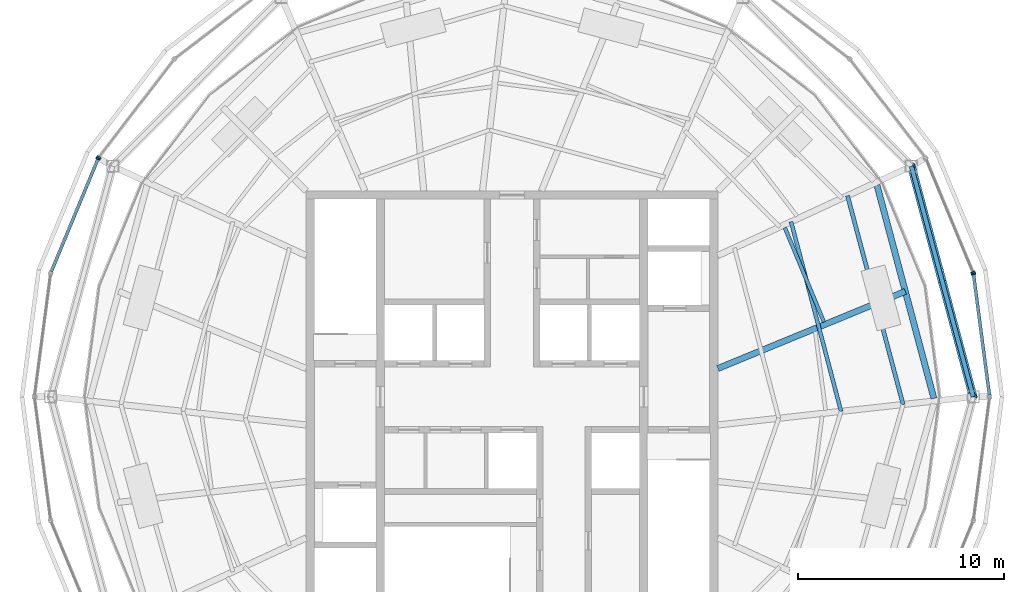
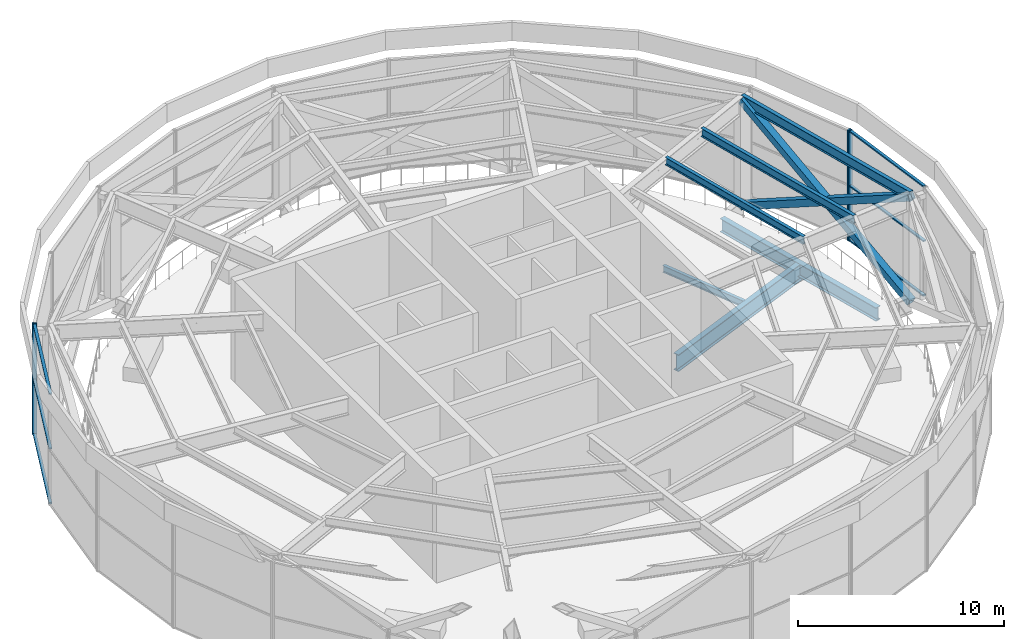
# One storey, part 5 of 13: 14 members, 4 beams, 4 elements without a shape of their own.
"""IFC4 building model written with IfcOpenShell, lengths in metres."""

from ifc_helpers import new_model, si_unit, direction, frame, origin, origin_2d, place, context, subcontext, project, spatial, rectangle, hollow_rectangle, i_section, extrude, material, material_profile, profile_set, type_object, element, aggregate, save


model = new_model("IFC4")

# Units and contexts
model_context = context("Model", 3, precision=1e-05, world=origin(), true_north=direction((0.0, 1.0)))
body_context = subcontext(model_context, "Body", "Model", "MODEL_VIEW")
ifc_project = project(units=[si_unit("LENGTHUNIT", "METRE"), si_unit("AREAUNIT", "SQUARE_METRE"), si_unit("VOLUMEUNIT", "CUBIC_METRE"), si_unit("PLANEANGLEUNIT", "RADIAN"), si_unit("MASSUNIT", "GRAM", prefix="KILO")], contexts=[model_context])

# Site, building, storey
site_placement = place(None, origin())
site = spatial("IfcSite", under=ifc_project, at=site_placement, CompositionType="ELEMENT")
building_placement = place(site_placement, origin())
building = spatial("IfcBuilding", under=site, at=building_placement, Name="Golbaran Civic Tower", CompositionType="ELEMENT")
storey_placement = place(building_placement, frame((0.0, 0.0, 284.0)))
storey = spatial("IfcBuildingStorey", under=building, at=storey_placement, Name="L69", CompositionType="ELEMENT", Elevation=284.0)

# Members
ifc_material_1 = material(Name="Steel S355", Category="steel")
ifc_material_profile_1 = material_profile(ifc_material_1, hollow_rectangle(XDim=0.39990234375, YDim=0.39990234375, WallThickness=0.030029296875, at=origin_2d()), Name="BOX 400x400x30")
ifc_profile_set_1 = profile_set([ifc_material_profile_1], Name="Steel S355")
member_type_1 = type_object("IfcMemberType", Name="CROWN FRAME BRACE BOX 400x400x30", PredefinedType="BRACE", material=ifc_profile_set_1)
for number, where, z_axis, x_axis, name in (
    (1, (22.39990234375, 0.0, -0.7099609375), (-0.227744086126, 0.849964200377, 0.475072088542), (-0.965926716951, -0.258815721085, 0.0), "Crown frame brace 1A"),
    (2, (19.39892578125, 11.199951171875, -0.7099609375), (0.227744086126, -0.849964200377, 0.475072088542), (0.965926716951, 0.258815721085, 0.0), "Crown frame brace 1B"),
):
    element("IfcMember", number, at=place(storey_placement, frame(where, z_axis=z_axis, x_axis=x_axis)), inside=storey, type_object=member_type_1, Name=name, PredefinedType="BRACE", context=body_context, shape_type="SweptSolid", body=[
        extrude(hollow_rectangle(XDim=0.39990234375, YDim=0.39990234375, WallThickness=0.030029296875, at=origin_2d()), origin(), (0.0, 0.0, 1.0), 13.177001953125),
    ])
ifc_material_profile_2 = material_profile(ifc_material_1, i_section(OverallWidth=0.18994140625, OverallDepth=0.449951171875, WebThickness=0.009521484375, FlangeThickness=0.0146484375, FilletRadius=0.02099609375, at=origin_2d()), Name="IPE 450")
ifc_profile_set_2 = profile_set([ifc_material_profile_2], Name="Steel S355")
member_type_2 = type_object("IfcMemberType", Name="CROWN FRAME CANOPY PURLIN IPE 450", PredefinedType="PURLIN", material=ifc_profile_set_2)
member_1_placement = place(storey_placement, frame((15.984375, -0.70947265625, 5.625), z_axis=(-0.255024451982, 0.966934604248, 0.0), x_axis=(-0.966934604248, -0.255024451982, 0.0)))
element("IfcMember", 3, at=member_1_placement, inside=storey, type_object=member_type_2, Name="Canopy purlin 1-2", PredefinedType="PURLIN", context=body_context, shape_type="SweptSolid", body=[
    extrude(i_section(OverallWidth=0.18994140625, OverallDepth=0.449951171875, WebThickness=0.009521484375, FlangeThickness=0.0146484375, FilletRadius=0.02099609375, at=origin_2d()), origin(), (0.0, 0.0, 1.0), 9.5244140625),
])
ifc_material_profile_3 = material_profile(ifc_material_1, i_section(OverallWidth=0.199951171875, OverallDepth=0.5, WebThickness=0.01025390625, FlangeThickness=0.01611328125, FilletRadius=0.02099609375, at=origin_2d()), Name="IPE 500")
ifc_profile_set_3 = profile_set([ifc_material_profile_3], Name="Steel S355")
member_type_3 = type_object("IfcMemberType", Name="CROWN FRAME CANOPY PURLIN IPE 500", PredefinedType="PURLIN", material=ifc_profile_set_3)
member_2_placement = place(storey_placement, frame((18.996337890625, -0.37646484375, 5.60009765625), z_axis=(-0.25713709538, 0.966374934577, 0.0), x_axis=(-0.966374934577, -0.25713709538, 0.0)))
element("IfcMember", 4, at=member_2_placement, inside=storey, type_object=member_type_3, Name="Canopy purlin 1-3", PredefinedType="PURLIN", context=body_context, shape_type="SweptSolid", body=[
    extrude(i_section(OverallWidth=0.199951171875, OverallDepth=0.5, WebThickness=0.01025390625, FlangeThickness=0.01611328125, FilletRadius=0.02099609375, at=origin_2d()), origin(), (0.0, 0.0, 1.0), 10.496337890625),
])

# Beams
ifc_material_profile_4 = material_profile(ifc_material_1, i_section(OverallWidth=0.219970703125, OverallDepth=0.60009765625, WebThickness=0.011962890625, FlangeThickness=0.01904296875, FilletRadius=0.02392578125, at=origin_2d()), Name="IPE 600")
ifc_profile_set_4 = profile_set([ifc_material_profile_4], Name="Steel S355")
beam_type_1 = type_object("IfcBeamType", Name="CROWN FRAME CANOPY RING BEAM IPE 600", PredefinedType="BEAM", material=ifc_profile_set_4)
beam_1_placement = place(storey_placement, frame((22.39990234375, 0.0, 5.550048828125), z_axis=(-0.258815721085, 0.965926716951, 0.0), x_axis=(-0.965926716951, -0.258815721085, 0.0)))
element("IfcBeam", 5, at=beam_1_placement, inside=storey, type_object=beam_type_1, Name="Canopy ring beam 1", PredefinedType="BEAM", context=body_context, shape_type="SweptSolid", body=[
    extrude(i_section(OverallWidth=0.219970703125, OverallDepth=0.60009765625, WebThickness=0.011962890625, FlangeThickness=0.01904296875, FilletRadius=0.02392578125, at=origin_2d()), origin(), (0.0, 0.0, 1.0), 11.594970703125),
])
ifc_material_profile_5 = material_profile(ifc_material_1, i_section(OverallWidth=0.300048828125, OverallDepth=0.800048828125, WebThickness=0.017578125, FlangeThickness=0.032958984375, FilletRadius=0.030029296875, at=origin_2d()), Name="HEB 800")
ifc_profile_set_5 = profile_set([ifc_material_profile_5], Name="Steel S355")
beam_type_2 = type_object("IfcBeamType", Name="EDGE BEAM HEB 800", PredefinedType="BEAM", material=ifc_profile_set_5)
beam_2_placement = place(storey_placement, frame((20.492919921875, -0.080078125, -0.699951171875), z_axis=(-0.257960121844, 0.966155564875, 0.0), x_axis=(-0.966155564875, -0.257960121844, 0.0)))
element("IfcBeam", 6, at=beam_2_placement, inside=storey, type_object=beam_type_2, Name="Edge beam 0.00 L69", PredefinedType="BEAM", context=body_context, shape_type="SweptSolid", body=[
    extrude(i_section(OverallWidth=0.300048828125, OverallDepth=0.800048828125, WebThickness=0.017578125, FlangeThickness=0.032958984375, FilletRadius=0.030029296875, at=origin_2d()), origin(), (0.0, 0.0, 1.0), 10.726806640625),
])
ifc_material_profile_6 = material_profile(ifc_material_1, i_section(OverallWidth=0.179931640625, OverallDepth=0.39990234375, WebThickness=0.008544921875, FlangeThickness=0.013427734375, FilletRadius=0.02099609375, at=origin_2d()), Name="IPE 400")
ifc_profile_set_6 = profile_set([ifc_material_profile_6], Name="Steel S355")
beam_type_3 = type_object("IfcBeamType", Name="FLOOR INFILL BEAM IPE 400", PredefinedType="BEAM", material=ifc_profile_set_6)
beam_3_placement = place(storey_placement, frame((15.151123046875, 3.63232421875, -0.5), z_axis=(-0.382696532812, 0.923874106019, 0.0), x_axis=(-0.923874106019, -0.382696532812, 0.0)))
element("IfcBeam", 7, at=beam_3_placement, inside=storey, type_object=beam_type_3, Name="Infill beam 22.50 L69", PredefinedType="BEAM", context=body_context, shape_type="SweptSolid", body=[
    extrude(i_section(OverallWidth=0.179931640625, OverallDepth=0.39990234375, WebThickness=0.008544921875, FlangeThickness=0.013427734375, FilletRadius=0.02099609375, at=origin_2d()), origin(), (0.0, 0.0, 1.0), 4.9619140625),
])

# Curtain wall, member
ifc_material_2 = material(Name="Aluminium and glass", Category="aluminium")
curtain_wall_type = type_object("IfcCurtainWallType", Name="OUTER SKIN TERRACOTTA SCREEN", PredefinedType="NOTDEFINED", material=ifc_material_2)
curtain_wall_1_placement = place(storey_placement, origin())
curtain_wall_1 = element("IfcCurtainWall", 8, at=curtain_wall_1_placement, inside=storey, type_object=curtain_wall_type, Name="Crown screen L69 facet 1 CW3", ObjectType="OUTER SKIN", PredefinedType="USERDEFINED")
ifc_material_3 = material(Name="Aluminium", Category="aluminium")
ifc_material_profile_7 = material_profile(ifc_material_3, rectangle(XDim=0.219970703125, YDim=0.080078125, at=origin_2d()), Name="OUTER SKIN TERRACOTTA SCREEN MULLION")
ifc_profile_set_7 = profile_set([ifc_material_profile_7], Name="Aluminium")
member_type_4 = type_object("IfcMemberType", Name="OUTER SKIN TERRACOTTA SCREEN MULLION", PredefinedType="MULLION", material=ifc_profile_set_7)
member_3_placement = place(storey_placement, frame((22.414794921875, 5.96484375, -0.7099609375), z_axis=(0.0, 0.0, 1.0), x_axis=(-0.991444861374, -0.13052619222, 0.0)))
member_3 = element("IfcMember", 9, at=member_3_placement, type_object=member_type_4, Name="CW3 mullion 2", PredefinedType="MULLION", context=body_context, shape_type="SweptSolid", body=[
    extrude(rectangle(XDim=0.219970703125, YDim=0.080078125, at=origin_2d()), origin(), (0.0, 0.0, 1.0), 6.56005859375),
])

curtain_wall_2_placement = place(storey_placement, origin())
curtain_wall_2 = element("IfcCurtainWall", 10, at=curtain_wall_2_placement, inside=storey, type_object=curtain_wall_type, Name="Crown screen L69 facet 2 CW3", ObjectType="OUTER SKIN", PredefinedType="USERDEFINED")
member_4_placement = place(storey_placement, frame((22.394287109375, 6.04150390625, -0.7099609375), z_axis=(0.0, 0.0, 1.0), x_axis=(-0.923879532525, -0.382683432333, 0.0)))
member_4 = element("IfcMember", 11, at=member_4_placement, type_object=member_type_4, Name="CW3 mullion 1", PredefinedType="MULLION", context=body_context, shape_type="SweptSolid", body=[
    extrude(rectangle(XDim=0.219970703125, YDim=0.080078125, at=origin_2d()), origin(), (0.0, 0.0, 1.0), 6.56005859375),
])
aggregate(curtain_wall_2, [member_4])

curtain_wall_3_placement = place(storey_placement, origin())
curtain_wall_3 = element("IfcCurtainWall", 12, at=curtain_wall_3_placement, inside=storey, type_object=curtain_wall_type, Name="Crown screen L69 facet 10 CW3", ObjectType="OUTER SKIN", PredefinedType="USERDEFINED")
member_5_placement = place(storey_placement, frame((-20.0673828125, 11.6318359375, -0.7099609375), z_axis=(0.0, 0.0, 1.0), x_axis=(0.793353340344, -0.608761428939, 0.0)))
member_5 = element("IfcMember", 13, at=member_5_placement, type_object=member_type_4, Name="CW3 mullion 2", PredefinedType="MULLION", context=body_context, shape_type="SweptSolid", body=[
    extrude(rectangle(XDim=0.219970703125, YDim=0.080078125, at=origin_2d()), origin(), (0.0, 0.0, 1.0), 6.56005859375),
])
aggregate(curtain_wall_3, [member_5])

curtain_wall_4_placement = place(storey_placement, origin())
curtain_wall_4 = element("IfcCurtainWall", 14, at=curtain_wall_4_placement, inside=storey, type_object=curtain_wall_type, Name="Crown screen L69 facet 11 CW3", ObjectType="OUTER SKIN", PredefinedType="USERDEFINED")
member_6_placement = place(storey_placement, frame((-20.107177734375, 11.56298828125, -0.7099609375), z_axis=(0.0, 0.0, 1.0), x_axis=(0.923879532525, -0.382683432333, 0.0)))
member_6 = element("IfcMember", 15, at=member_6_placement, type_object=member_type_4, Name="CW3 mullion 1", PredefinedType="MULLION", context=body_context, shape_type="SweptSolid", body=[
    extrude(rectangle(XDim=0.219970703125, YDim=0.080078125, at=origin_2d()), origin(), (0.0, 0.0, 1.0), 6.56005859375),
])

# Member
ifc_material_profile_8 = material_profile(ifc_material_3, rectangle(XDim=0.159912109375, YDim=0.080078125, at=origin_2d()), Name="OUTER SKIN TERRACOTTA SCREEN TRANSOM")
ifc_profile_set_8 = profile_set([ifc_material_profile_8], Name="Aluminium")
member_type_5 = type_object("IfcMemberType", Name="OUTER SKIN TERRACOTTA SCREEN TRANSOM", PredefinedType="USERDEFINED", material=ifc_profile_set_8)
member_7_placement = place(storey_placement, frame((23.189453125, 0.079345703125, -0.669921875), z_axis=(-0.130509136774, 0.991447106617, 0.0), x_axis=(-0.991447106617, -0.130509136774, 0.0)))
member_7 = element("IfcMember", 16, at=member_7_placement, type_object=member_type_5, Name="CW3 transom 1.1", ObjectType="TRANSOM", PredefinedType="USERDEFINED", context=body_context, shape_type="SweptSolid", body=[
    extrude(rectangle(XDim=0.159912109375, YDim=0.080078125, at=origin_2d()), origin(), (0.0, 0.0, 1.0), 5.896484375),
])

member_8_placement = place(storey_placement, frame((23.189453125, 0.079345703125, 2.570068359375), z_axis=(-0.130509136774, 0.991447106617, 0.0), x_axis=(-0.991447106617, -0.130509136774, 0.0)))
member_8 = element("IfcMember", 17, at=member_8_placement, type_object=member_type_5, Name="CW3 transom 1.2", ObjectType="TRANSOM", PredefinedType="USERDEFINED", context=body_context, shape_type="SweptSolid", body=[
    extrude(rectangle(XDim=0.159912109375, YDim=0.080078125, at=origin_2d()), origin(), (0.0, 0.0, 1.0), 5.896484375),
])

member_9_placement = place(storey_placement, frame((23.189453125, 0.079345703125, 5.81005859375), z_axis=(-0.130509136774, 0.991447106617, 0.0), x_axis=(-0.991447106617, -0.130509136774, 0.0)))
member_9 = element("IfcMember", 18, at=member_9_placement, type_object=member_type_5, Name="CW3 transom 1.3", ObjectType="TRANSOM", PredefinedType="USERDEFINED", context=body_context, shape_type="SweptSolid", body=[
    extrude(rectangle(XDim=0.159912109375, YDim=0.080078125, at=origin_2d()), origin(), (0.0, 0.0, 1.0), 5.896484375),
])

aggregate(curtain_wall_1, [member_3, member_7, member_8, member_9])

member_10_placement = place(storey_placement, frame((-20.122314453125, 11.526123046875, -0.669921875), z_axis=(-0.382706502494, -0.923869976214, 0.0), x_axis=(0.923869976214, -0.382706502494, 0.0)))
member_10 = element("IfcMember", 19, at=member_10_placement, type_object=member_type_5, Name="CW3 transom 1.1", ObjectType="TRANSOM", PredefinedType="USERDEFINED", context=body_context, shape_type="SweptSolid", body=[
    extrude(rectangle(XDim=0.159912109375, YDim=0.080078125, at=origin_2d()), origin(), (0.0, 0.0, 1.0), 5.896484375),
])

member_11_placement = place(storey_placement, frame((-20.122314453125, 11.526123046875, 2.570068359375), z_axis=(-0.382706502494, -0.923869976214, 0.0), x_axis=(0.923869976214, -0.382706502494, 0.0)))
member_11 = element("IfcMember", 20, at=member_11_placement, type_object=member_type_5, Name="CW3 transom 1.2", ObjectType="TRANSOM", PredefinedType="USERDEFINED", context=body_context, shape_type="SweptSolid", body=[
    extrude(rectangle(XDim=0.159912109375, YDim=0.080078125, at=origin_2d()), origin(), (0.0, 0.0, 1.0), 5.896484375),
])

member_12_placement = place(storey_placement, frame((-20.122314453125, 11.526123046875, 5.81005859375), z_axis=(-0.382706502494, -0.923869976214, 0.0), x_axis=(0.923869976214, -0.382706502494, 0.0)))
member_12 = element("IfcMember", 21, at=member_12_placement, type_object=member_type_5, Name="CW3 transom 1.3", ObjectType="TRANSOM", PredefinedType="USERDEFINED", context=body_context, shape_type="SweptSolid", body=[
    extrude(rectangle(XDim=0.159912109375, YDim=0.080078125, at=origin_2d()), origin(), (0.0, 0.0, 1.0), 5.896484375),
])

aggregate(curtain_wall_4, [member_6, member_10, member_11, member_12])

# Beam
ifc_material_profile_9 = material_profile(ifc_material_1, i_section(OverallWidth=0.300048828125, OverallDepth=1.0, WebThickness=0.01904296875, FlangeThickness=0.035888671875, FilletRadius=0.030029296875, at=origin_2d()), Name="HEB 1000")
ifc_profile_set_9 = profile_set([ifc_material_profile_9], Name="Steel S355")
beam_type_4 = type_object("IfcBeamType", Name="SECONDARY FLOOR BEAM HEB 1000", PredefinedType="BEAM", material=ifc_profile_set_9)
beam_4_placement = place(storey_placement, frame((10.0, 1.371337890625, -0.800048828125), z_axis=(0.924721228964, 0.380645042926, 0.0), x_axis=(-0.380645042926, 0.924721228964, 0.0)))
element("IfcBeam", 22, at=beam_4_placement, inside=storey, type_object=beam_type_4, Name="Secondary beam 15.00 L69", PredefinedType="BEAM", context=body_context, shape_type="SweptSolid", body=[
    extrude(i_section(OverallWidth=0.300048828125, OverallDepth=1.0, WebThickness=0.01904296875, FlangeThickness=0.035888671875, FilletRadius=0.030029296875, at=origin_2d()), origin(), (0.0, 0.0, 1.0), 9.845947265625),
])

save(model, "model.ifc")
